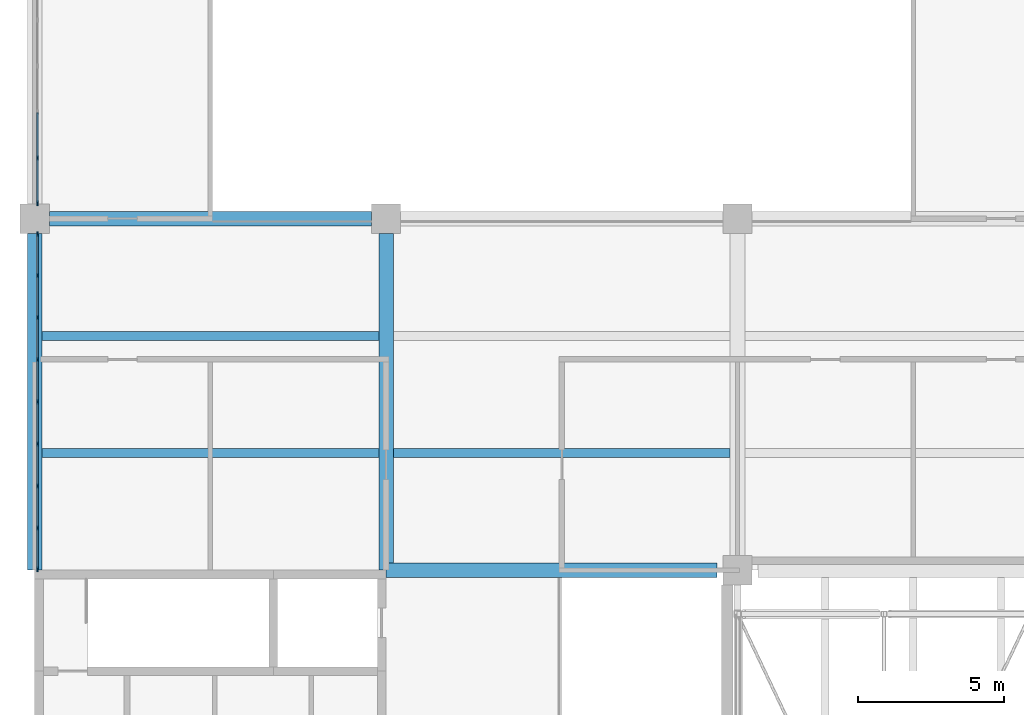
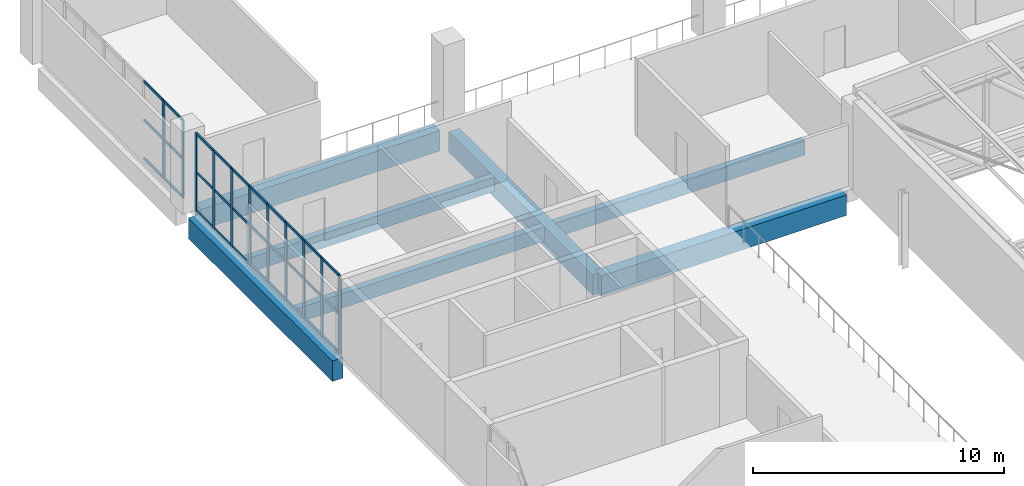
# One storey, part 128 of 156: 41 members, 7 beams, 2 elements without a shape of their own.
"""IFC4 building model written with IfcOpenShell, lengths in metres."""

from ifc_helpers import new_model, si_unit, direction, frame, origin, origin_2d, place, context, subcontext, project, spatial, rectangle, extrude, material, layer, layer_set, material_profile, profile_set, type_object, element, aggregate, save


model = new_model("IFC4")

# Units and contexts
model_context = context("Model", 3, precision=1e-05, world=origin(), true_north=direction((0.0, 1.0)))
body_context = subcontext(model_context, "Body", "Model", "MODEL_VIEW")
ifc_project = project(units=[si_unit("LENGTHUNIT", "METRE"), si_unit("AREAUNIT", "SQUARE_METRE"), si_unit("VOLUMEUNIT", "CUBIC_METRE"), si_unit("PLANEANGLEUNIT", "RADIAN"), si_unit("MASSUNIT", "GRAM", prefix="KILO")], contexts=[model_context])

# Site, building, storey
site_placement = place(None, origin())
site = spatial("IfcSite", under=ifc_project, at=site_placement, CompositionType="ELEMENT")
building_placement = place(site_placement, origin())
building = spatial("IfcBuilding", under=site, at=building_placement, Name="Lilac Gate Convention Centre", CompositionType="ELEMENT")
storey_placement = place(building_placement, frame((0.0, 0.0, 17.0)))
storey = spatial("IfcBuildingStorey", under=building, at=storey_placement, Name="L03", CompositionType="ELEMENT", Elevation=17.0)

# Curtain wall, members
ifc_material_1 = material(Name="Aluminium framed double glazing", Category="aluminium")
ifc_layer = layer(ifc_material_1, 0.199951171875)
ifc_layer_set = layer_set([ifc_layer], Name="Aluminium framed double glazing")
curtain_wall_type = type_object("IfcCurtainWallType", Name="Unitised curtain wall 1500", PredefinedType="NOTDEFINED", material=ifc_layer_set)
curtain_wall_1_placement = place(storey_placement, origin())
curtain_wall_1 = element("IfcCurtainWall", 1, at=curtain_wall_1_placement, inside=storey, type_object=curtain_wall_type, Name="Curtain wall GW L03 1", PredefinedType="NOTDEFINED")
ifc_material_2 = material(Name="Aluminium alloy 6063", Category="aluminium")
ifc_material_profile_1 = material_profile(ifc_material_2, rectangle(XDim=0.06005859375, YDim=0.159912109375, at=origin_2d()), Name="Curtain wall mullion 60 x 160")
ifc_profile_set_1 = profile_set([ifc_material_profile_1], Name="Aluminium alloy 6063")
member_type_1 = type_object("IfcMemberType", Name="Curtain wall mullion 60 x 160", PredefinedType="MULLION", material=ifc_profile_set_1)
member_1_placement = place(storey_placement, frame((6.10009765625, 236.071533203125, 0.0), z_axis=(0.0, 0.0, 1.0), x_axis=(1.0, 0.0, 0.0)))
member_1 = element("IfcMember", 2, at=member_1_placement, type_object=member_type_1, Name="CW mullion 7", PredefinedType="MULLION", context=body_context, shape_type="SweptSolid", body=[
    extrude(rectangle(XDim=0.06005859375, YDim=0.159912109375, at=origin_2d()), origin(), (0.0, 0.0, 1.0), 3.800048828125),
])
member_2_placement = place(storey_placement, frame((6.10009765625, 234.530029296875, 0.0), z_axis=(0.0, 0.0, 1.0), x_axis=(1.0, 0.0, 0.0)))
member_2 = element("IfcMember", 3, at=member_2_placement, type_object=member_type_1, Name="CW mullion 8", PredefinedType="MULLION", context=body_context, shape_type="SweptSolid", body=[
    extrude(rectangle(XDim=0.06005859375, YDim=0.159912109375, at=origin_2d()), origin(), (0.0, 0.0, 1.0), 3.800048828125),
])

curtain_wall_2_placement = place(storey_placement, origin())
curtain_wall_2 = element("IfcCurtainWall", 4, at=curtain_wall_2_placement, inside=storey, type_object=curtain_wall_type, Name="Curtain wall GW L03 2", PredefinedType="NOTDEFINED")
member_3_placement = place(storey_placement, frame((6.10009765625, 233.469970703125, 0.0), z_axis=(0.0, 0.0, 1.0), x_axis=(1.0, 0.0, 0.0)))
member_3 = element("IfcMember", 5, at=member_3_placement, type_object=member_type_1, Name="CW mullion 1", PredefinedType="MULLION", context=body_context, shape_type="SweptSolid", body=[
    extrude(rectangle(XDim=0.06005859375, YDim=0.159912109375, at=origin_2d()), origin(), (0.0, 0.0, 1.0), 3.800048828125),
])
member_4_placement = place(storey_placement, frame((6.10009765625, 232.0625, 0.0), z_axis=(0.0, 0.0, 1.0), x_axis=(1.0, 0.0, 0.0)))
member_4 = element("IfcMember", 6, at=member_4_placement, type_object=member_type_1, Name="CW mullion 2", PredefinedType="MULLION", context=body_context, shape_type="SweptSolid", body=[
    extrude(rectangle(XDim=0.06005859375, YDim=0.159912109375, at=origin_2d()), origin(), (0.0, 0.0, 1.0), 3.800048828125),
])
member_5_placement = place(storey_placement, frame((6.10009765625, 230.625, 0.0), z_axis=(0.0, 0.0, 1.0), x_axis=(1.0, 0.0, 0.0)))
member_5 = element("IfcMember", 7, at=member_5_placement, type_object=member_type_1, Name="CW mullion 3", PredefinedType="MULLION", context=body_context, shape_type="SweptSolid", body=[
    extrude(rectangle(XDim=0.06005859375, YDim=0.159912109375, at=origin_2d()), origin(), (0.0, 0.0, 1.0), 3.800048828125),
])
member_6_placement = place(storey_placement, frame((6.10009765625, 229.1875, 0.0), z_axis=(0.0, 0.0, 1.0), x_axis=(1.0, 0.0, 0.0)))
member_6 = element("IfcMember", 8, at=member_6_placement, type_object=member_type_1, Name="CW mullion 4", PredefinedType="MULLION", context=body_context, shape_type="SweptSolid", body=[
    extrude(rectangle(XDim=0.06005859375, YDim=0.159912109375, at=origin_2d()), origin(), (0.0, 0.0, 1.0), 3.800048828125),
])
member_7_placement = place(storey_placement, frame((6.10009765625, 227.75, 0.0), z_axis=(0.0, 0.0, 1.0), x_axis=(1.0, 0.0, 0.0)))
member_7 = element("IfcMember", 9, at=member_7_placement, type_object=member_type_1, Name="CW mullion 5", PredefinedType="MULLION", context=body_context, shape_type="SweptSolid", body=[
    extrude(rectangle(XDim=0.06005859375, YDim=0.159912109375, at=origin_2d()), origin(), (0.0, 0.0, 1.0), 3.800048828125),
])
member_8_placement = place(storey_placement, frame((6.10009765625, 226.3125, 0.0), z_axis=(0.0, 0.0, 1.0), x_axis=(1.0, 0.0, 0.0)))
member_8 = element("IfcMember", 10, at=member_8_placement, type_object=member_type_1, Name="CW mullion 6", PredefinedType="MULLION", context=body_context, shape_type="SweptSolid", body=[
    extrude(rectangle(XDim=0.06005859375, YDim=0.159912109375, at=origin_2d()), origin(), (0.0, 0.0, 1.0), 3.800048828125),
])
member_9_placement = place(storey_placement, frame((6.10009765625, 224.875, 0.0), z_axis=(0.0, 0.0, 1.0), x_axis=(1.0, 0.0, 0.0)))
member_9 = element("IfcMember", 11, at=member_9_placement, type_object=member_type_1, Name="CW mullion 7", PredefinedType="MULLION", context=body_context, shape_type="SweptSolid", body=[
    extrude(rectangle(XDim=0.06005859375, YDim=0.159912109375, at=origin_2d()), origin(), (0.0, 0.0, 1.0), 3.800048828125),
])
member_10_placement = place(storey_placement, frame((6.10009765625, 223.4375, 0.0), z_axis=(0.0, 0.0, 1.0), x_axis=(1.0, 0.0, 0.0)))
member_10 = element("IfcMember", 12, at=member_10_placement, type_object=member_type_1, Name="CW mullion 8", PredefinedType="MULLION", context=body_context, shape_type="SweptSolid", body=[
    extrude(rectangle(XDim=0.06005859375, YDim=0.159912109375, at=origin_2d()), origin(), (0.0, 0.0, 1.0), 3.800048828125),
])
member_11_placement = place(storey_placement, frame((6.10009765625, 222.030029296875, 0.0), z_axis=(0.0, 0.0, 1.0), x_axis=(1.0, 0.0, 0.0)))
member_11 = element("IfcMember", 13, at=member_11_placement, type_object=member_type_1, Name="CW mullion 9", PredefinedType="MULLION", context=body_context, shape_type="SweptSolid", body=[
    extrude(rectangle(XDim=0.06005859375, YDim=0.159912109375, at=origin_2d()), origin(), (0.0, 0.0, 1.0), 3.800048828125),
])

# Member
ifc_material_profile_2 = material_profile(ifc_material_2, rectangle(XDim=0.06005859375, YDim=0.1201171875, at=origin_2d()), Name="Curtain wall transom 60 x 120")
ifc_profile_set_2 = profile_set([ifc_material_profile_2], Name="Aluminium alloy 6063")
member_type_2 = type_object("IfcMemberType", Name="Curtain wall transom 60 x 120", PredefinedType="USERDEFINED", material=ifc_profile_set_2)
member_12_placement = place(storey_placement, frame((6.10009765625, 237.61279296875, 0.030029296875), z_axis=(0.0, -1.0, 0.0), x_axis=(1.0, 0.0, 0.0)))
member_12 = element("IfcMember", 14, at=member_12_placement, type_object=member_type_2, Name="CW transom 6.1", ObjectType="TRANSOM", PredefinedType="USERDEFINED", context=body_context, shape_type="SweptSolid", body=[
    extrude(rectangle(XDim=0.06005859375, YDim=0.1201171875, at=origin_2d()), origin(), (0.0, 0.0, 1.0), 1.511474609375),
])

member_13_placement = place(storey_placement, frame((6.10009765625, 237.61279296875, 1.89990234375), z_axis=(0.0, -1.0, 0.0), x_axis=(1.0, 0.0, 0.0)))
member_13 = element("IfcMember", 15, at=member_13_placement, type_object=member_type_2, Name="CW transom 6.2", ObjectType="TRANSOM", PredefinedType="USERDEFINED", context=body_context, shape_type="SweptSolid", body=[
    extrude(rectangle(XDim=0.06005859375, YDim=0.1201171875, at=origin_2d()), origin(), (0.0, 0.0, 1.0), 1.511474609375),
])

member_14_placement = place(storey_placement, frame((6.10009765625, 237.61279296875, 3.77001953125), z_axis=(0.0, -1.0, 0.0), x_axis=(1.0, 0.0, 0.0)))
member_14 = element("IfcMember", 16, at=member_14_placement, type_object=member_type_2, Name="CW transom 6.3", ObjectType="TRANSOM", PredefinedType="USERDEFINED", context=body_context, shape_type="SweptSolid", body=[
    extrude(rectangle(XDim=0.06005859375, YDim=0.1201171875, at=origin_2d()), origin(), (0.0, 0.0, 1.0), 1.511474609375),
])

member_15_placement = place(storey_placement, frame((6.10009765625, 236.04150390625, 0.030029296875), z_axis=(0.0, -1.0, 0.0), x_axis=(1.0, 0.0, 0.0)))
member_15 = element("IfcMember", 17, at=member_15_placement, type_object=member_type_2, Name="CW transom 7.1", ObjectType="TRANSOM", PredefinedType="USERDEFINED", context=body_context, shape_type="SweptSolid", body=[
    extrude(rectangle(XDim=0.06005859375, YDim=0.1201171875, at=origin_2d()), origin(), (0.0, 0.0, 1.0), 1.4814453125),
])

member_16_placement = place(storey_placement, frame((6.10009765625, 236.04150390625, 1.89990234375), z_axis=(0.0, -1.0, 0.0), x_axis=(1.0, 0.0, 0.0)))
member_16 = element("IfcMember", 18, at=member_16_placement, type_object=member_type_2, Name="CW transom 7.2", ObjectType="TRANSOM", PredefinedType="USERDEFINED", context=body_context, shape_type="SweptSolid", body=[
    extrude(rectangle(XDim=0.06005859375, YDim=0.1201171875, at=origin_2d()), origin(), (0.0, 0.0, 1.0), 1.4814453125),
])

member_17_placement = place(storey_placement, frame((6.10009765625, 236.04150390625, 3.77001953125), z_axis=(0.0, -1.0, 0.0), x_axis=(1.0, 0.0, 0.0)))
member_17 = element("IfcMember", 19, at=member_17_placement, type_object=member_type_2, Name="CW transom 7.3", ObjectType="TRANSOM", PredefinedType="USERDEFINED", context=body_context, shape_type="SweptSolid", body=[
    extrude(rectangle(XDim=0.06005859375, YDim=0.1201171875, at=origin_2d()), origin(), (0.0, 0.0, 1.0), 1.4814453125),
])

aggregate(curtain_wall_1, [member_1, member_2, member_12, member_13, member_14, member_15, member_16, member_17])

member_18_placement = place(storey_placement, frame((6.10009765625, 233.43994140625, 0.030029296875), z_axis=(0.0, -1.0, 0.0), x_axis=(1.0, 0.0, 0.0)))
member_18 = element("IfcMember", 20, at=member_18_placement, type_object=member_type_2, Name="CW transom 1.1", ObjectType="TRANSOM", PredefinedType="USERDEFINED", context=body_context, shape_type="SweptSolid", body=[
    extrude(rectangle(XDim=0.06005859375, YDim=0.1201171875, at=origin_2d()), origin(), (0.0, 0.0, 1.0), 1.347412109375),
])

member_19_placement = place(storey_placement, frame((6.10009765625, 233.43994140625, 1.89990234375), z_axis=(0.0, -1.0, 0.0), x_axis=(1.0, 0.0, 0.0)))
member_19 = element("IfcMember", 21, at=member_19_placement, type_object=member_type_2, Name="CW transom 1.2", ObjectType="TRANSOM", PredefinedType="USERDEFINED", context=body_context, shape_type="SweptSolid", body=[
    extrude(rectangle(XDim=0.06005859375, YDim=0.1201171875, at=origin_2d()), origin(), (0.0, 0.0, 1.0), 1.347412109375),
])

member_20_placement = place(storey_placement, frame((6.10009765625, 233.43994140625, 3.77001953125), z_axis=(0.0, -1.0, 0.0), x_axis=(1.0, 0.0, 0.0)))
member_20 = element("IfcMember", 22, at=member_20_placement, type_object=member_type_2, Name="CW transom 1.3", ObjectType="TRANSOM", PredefinedType="USERDEFINED", context=body_context, shape_type="SweptSolid", body=[
    extrude(rectangle(XDim=0.06005859375, YDim=0.1201171875, at=origin_2d()), origin(), (0.0, 0.0, 1.0), 1.347412109375),
])

member_21_placement = place(storey_placement, frame((6.10009765625, 232.032470703125, 0.030029296875), z_axis=(0.0, -1.0, 0.0), x_axis=(1.0, 0.0, 0.0)))
member_21 = element("IfcMember", 23, at=member_21_placement, type_object=member_type_2, Name="CW transom 2.1", ObjectType="TRANSOM", PredefinedType="USERDEFINED", context=body_context, shape_type="SweptSolid", body=[
    extrude(rectangle(XDim=0.06005859375, YDim=0.1201171875, at=origin_2d()), origin(), (0.0, 0.0, 1.0), 1.37744140625),
])

member_22_placement = place(storey_placement, frame((6.10009765625, 232.032470703125, 1.89990234375), z_axis=(0.0, -1.0, 0.0), x_axis=(1.0, 0.0, 0.0)))
member_22 = element("IfcMember", 24, at=member_22_placement, type_object=member_type_2, Name="CW transom 2.2", ObjectType="TRANSOM", PredefinedType="USERDEFINED", context=body_context, shape_type="SweptSolid", body=[
    extrude(rectangle(XDim=0.06005859375, YDim=0.1201171875, at=origin_2d()), origin(), (0.0, 0.0, 1.0), 1.37744140625),
])

member_23_placement = place(storey_placement, frame((6.10009765625, 232.032470703125, 3.77001953125), z_axis=(0.0, -1.0, 0.0), x_axis=(1.0, 0.0, 0.0)))
member_23 = element("IfcMember", 25, at=member_23_placement, type_object=member_type_2, Name="CW transom 2.3", ObjectType="TRANSOM", PredefinedType="USERDEFINED", context=body_context, shape_type="SweptSolid", body=[
    extrude(rectangle(XDim=0.06005859375, YDim=0.1201171875, at=origin_2d()), origin(), (0.0, 0.0, 1.0), 1.37744140625),
])

member_24_placement = place(storey_placement, frame((6.10009765625, 230.594970703125, 0.030029296875), z_axis=(0.0, -1.0, 0.0), x_axis=(1.0, 0.0, 0.0)))
member_24 = element("IfcMember", 26, at=member_24_placement, type_object=member_type_2, Name="CW transom 3.1", ObjectType="TRANSOM", PredefinedType="USERDEFINED", context=body_context, shape_type="SweptSolid", body=[
    extrude(rectangle(XDim=0.06005859375, YDim=0.1201171875, at=origin_2d()), origin(), (0.0, 0.0, 1.0), 1.37744140625),
])

member_25_placement = place(storey_placement, frame((6.10009765625, 230.594970703125, 1.89990234375), z_axis=(0.0, -1.0, 0.0), x_axis=(1.0, 0.0, 0.0)))
member_25 = element("IfcMember", 27, at=member_25_placement, type_object=member_type_2, Name="CW transom 3.2", ObjectType="TRANSOM", PredefinedType="USERDEFINED", context=body_context, shape_type="SweptSolid", body=[
    extrude(rectangle(XDim=0.06005859375, YDim=0.1201171875, at=origin_2d()), origin(), (0.0, 0.0, 1.0), 1.37744140625),
])

member_26_placement = place(storey_placement, frame((6.10009765625, 230.594970703125, 3.77001953125), z_axis=(0.0, -1.0, 0.0), x_axis=(1.0, 0.0, 0.0)))
member_26 = element("IfcMember", 28, at=member_26_placement, type_object=member_type_2, Name="CW transom 3.3", ObjectType="TRANSOM", PredefinedType="USERDEFINED", context=body_context, shape_type="SweptSolid", body=[
    extrude(rectangle(XDim=0.06005859375, YDim=0.1201171875, at=origin_2d()), origin(), (0.0, 0.0, 1.0), 1.37744140625),
])

member_27_placement = place(storey_placement, frame((6.10009765625, 229.157470703125, 0.030029296875), z_axis=(0.0, -1.0, 0.0), x_axis=(1.0, 0.0, 0.0)))
member_27 = element("IfcMember", 29, at=member_27_placement, type_object=member_type_2, Name="CW transom 4.1", ObjectType="TRANSOM", PredefinedType="USERDEFINED", context=body_context, shape_type="SweptSolid", body=[
    extrude(rectangle(XDim=0.06005859375, YDim=0.1201171875, at=origin_2d()), origin(), (0.0, 0.0, 1.0), 1.37744140625),
])

member_28_placement = place(storey_placement, frame((6.10009765625, 229.157470703125, 1.89990234375), z_axis=(0.0, -1.0, 0.0), x_axis=(1.0, 0.0, 0.0)))
member_28 = element("IfcMember", 30, at=member_28_placement, type_object=member_type_2, Name="CW transom 4.2", ObjectType="TRANSOM", PredefinedType="USERDEFINED", context=body_context, shape_type="SweptSolid", body=[
    extrude(rectangle(XDim=0.06005859375, YDim=0.1201171875, at=origin_2d()), origin(), (0.0, 0.0, 1.0), 1.37744140625),
])

member_29_placement = place(storey_placement, frame((6.10009765625, 229.157470703125, 3.77001953125), z_axis=(0.0, -1.0, 0.0), x_axis=(1.0, 0.0, 0.0)))
member_29 = element("IfcMember", 31, at=member_29_placement, type_object=member_type_2, Name="CW transom 4.3", ObjectType="TRANSOM", PredefinedType="USERDEFINED", context=body_context, shape_type="SweptSolid", body=[
    extrude(rectangle(XDim=0.06005859375, YDim=0.1201171875, at=origin_2d()), origin(), (0.0, 0.0, 1.0), 1.37744140625),
])

member_30_placement = place(storey_placement, frame((6.10009765625, 227.719970703125, 0.030029296875), z_axis=(0.0, -1.0, 0.0), x_axis=(1.0, 0.0, 0.0)))
member_30 = element("IfcMember", 32, at=member_30_placement, type_object=member_type_2, Name="CW transom 5.1", ObjectType="TRANSOM", PredefinedType="USERDEFINED", context=body_context, shape_type="SweptSolid", body=[
    extrude(rectangle(XDim=0.06005859375, YDim=0.1201171875, at=origin_2d()), origin(), (0.0, 0.0, 1.0), 1.37744140625),
])

member_31_placement = place(storey_placement, frame((6.10009765625, 227.719970703125, 1.89990234375), z_axis=(0.0, -1.0, 0.0), x_axis=(1.0, 0.0, 0.0)))
member_31 = element("IfcMember", 33, at=member_31_placement, type_object=member_type_2, Name="CW transom 5.2", ObjectType="TRANSOM", PredefinedType="USERDEFINED", context=body_context, shape_type="SweptSolid", body=[
    extrude(rectangle(XDim=0.06005859375, YDim=0.1201171875, at=origin_2d()), origin(), (0.0, 0.0, 1.0), 1.37744140625),
])

member_32_placement = place(storey_placement, frame((6.10009765625, 227.719970703125, 3.77001953125), z_axis=(0.0, -1.0, 0.0), x_axis=(1.0, 0.0, 0.0)))
member_32 = element("IfcMember", 34, at=member_32_placement, type_object=member_type_2, Name="CW transom 5.3", ObjectType="TRANSOM", PredefinedType="USERDEFINED", context=body_context, shape_type="SweptSolid", body=[
    extrude(rectangle(XDim=0.06005859375, YDim=0.1201171875, at=origin_2d()), origin(), (0.0, 0.0, 1.0), 1.37744140625),
])

member_33_placement = place(storey_placement, frame((6.10009765625, 226.282470703125, 0.030029296875), z_axis=(0.0, -1.0, 0.0), x_axis=(1.0, 0.0, 0.0)))
member_33 = element("IfcMember", 35, at=member_33_placement, type_object=member_type_2, Name="CW transom 6.1", ObjectType="TRANSOM", PredefinedType="USERDEFINED", context=body_context, shape_type="SweptSolid", body=[
    extrude(rectangle(XDim=0.06005859375, YDim=0.1201171875, at=origin_2d()), origin(), (0.0, 0.0, 1.0), 1.37744140625),
])

member_34_placement = place(storey_placement, frame((6.10009765625, 226.282470703125, 1.89990234375), z_axis=(0.0, -1.0, 0.0), x_axis=(1.0, 0.0, 0.0)))
member_34 = element("IfcMember", 36, at=member_34_placement, type_object=member_type_2, Name="CW transom 6.2", ObjectType="TRANSOM", PredefinedType="USERDEFINED", context=body_context, shape_type="SweptSolid", body=[
    extrude(rectangle(XDim=0.06005859375, YDim=0.1201171875, at=origin_2d()), origin(), (0.0, 0.0, 1.0), 1.37744140625),
])

member_35_placement = place(storey_placement, frame((6.10009765625, 226.282470703125, 3.77001953125), z_axis=(0.0, -1.0, 0.0), x_axis=(1.0, 0.0, 0.0)))
member_35 = element("IfcMember", 37, at=member_35_placement, type_object=member_type_2, Name="CW transom 6.3", ObjectType="TRANSOM", PredefinedType="USERDEFINED", context=body_context, shape_type="SweptSolid", body=[
    extrude(rectangle(XDim=0.06005859375, YDim=0.1201171875, at=origin_2d()), origin(), (0.0, 0.0, 1.0), 1.37744140625),
])

member_36_placement = place(storey_placement, frame((6.10009765625, 224.844970703125, 0.030029296875), z_axis=(0.0, -1.0, 0.0), x_axis=(1.0, 0.0, 0.0)))
member_36 = element("IfcMember", 38, at=member_36_placement, type_object=member_type_2, Name="CW transom 7.1", ObjectType="TRANSOM", PredefinedType="USERDEFINED", context=body_context, shape_type="SweptSolid", body=[
    extrude(rectangle(XDim=0.06005859375, YDim=0.1201171875, at=origin_2d()), origin(), (0.0, 0.0, 1.0), 1.37744140625),
])

member_37_placement = place(storey_placement, frame((6.10009765625, 224.844970703125, 1.89990234375), z_axis=(0.0, -1.0, 0.0), x_axis=(1.0, 0.0, 0.0)))
member_37 = element("IfcMember", 39, at=member_37_placement, type_object=member_type_2, Name="CW transom 7.2", ObjectType="TRANSOM", PredefinedType="USERDEFINED", context=body_context, shape_type="SweptSolid", body=[
    extrude(rectangle(XDim=0.06005859375, YDim=0.1201171875, at=origin_2d()), origin(), (0.0, 0.0, 1.0), 1.37744140625),
])

member_38_placement = place(storey_placement, frame((6.10009765625, 224.844970703125, 3.77001953125), z_axis=(0.0, -1.0, 0.0), x_axis=(1.0, 0.0, 0.0)))
member_38 = element("IfcMember", 40, at=member_38_placement, type_object=member_type_2, Name="CW transom 7.3", ObjectType="TRANSOM", PredefinedType="USERDEFINED", context=body_context, shape_type="SweptSolid", body=[
    extrude(rectangle(XDim=0.06005859375, YDim=0.1201171875, at=origin_2d()), origin(), (0.0, 0.0, 1.0), 1.37744140625),
])

member_39_placement = place(storey_placement, frame((6.10009765625, 223.407470703125, 0.030029296875), z_axis=(0.0, -1.0, 0.0), x_axis=(1.0, 0.0, 0.0)))
member_39 = element("IfcMember", 41, at=member_39_placement, type_object=member_type_2, Name="CW transom 8.1", ObjectType="TRANSOM", PredefinedType="USERDEFINED", context=body_context, shape_type="SweptSolid", body=[
    extrude(rectangle(XDim=0.06005859375, YDim=0.1201171875, at=origin_2d()), origin(), (0.0, 0.0, 1.0), 1.347412109375),
])

member_40_placement = place(storey_placement, frame((6.10009765625, 223.407470703125, 1.89990234375), z_axis=(0.0, -1.0, 0.0), x_axis=(1.0, 0.0, 0.0)))
member_40 = element("IfcMember", 42, at=member_40_placement, type_object=member_type_2, Name="CW transom 8.2", ObjectType="TRANSOM", PredefinedType="USERDEFINED", context=body_context, shape_type="SweptSolid", body=[
    extrude(rectangle(XDim=0.06005859375, YDim=0.1201171875, at=origin_2d()), origin(), (0.0, 0.0, 1.0), 1.347412109375),
])

member_41_placement = place(storey_placement, frame((6.10009765625, 223.407470703125, 3.77001953125), z_axis=(0.0, -1.0, 0.0), x_axis=(1.0, 0.0, 0.0)))
member_41 = element("IfcMember", 43, at=member_41_placement, type_object=member_type_2, Name="CW transom 8.3", ObjectType="TRANSOM", PredefinedType="USERDEFINED", context=body_context, shape_type="SweptSolid", body=[
    extrude(rectangle(XDim=0.06005859375, YDim=0.1201171875, at=origin_2d()), origin(), (0.0, 0.0, 1.0), 1.347412109375),
])

aggregate(curtain_wall_2, [member_3, member_4, member_5, member_6, member_7, member_8, member_9, member_10, member_11, member_18, member_19, member_20, member_21, member_22, member_23, member_24, member_25, member_26, member_27, member_28, member_29, member_30, member_31, member_32, member_33, member_34, member_35, member_36, member_37, member_38, member_39, member_40, member_41])

# Beams
ifc_material_3 = material(Name="Concrete C40", Category="concrete")
ifc_material_profile_3 = material_profile(ifc_material_3, rectangle(XDim=0.5, YDim=1.0, at=origin_2d()), Name="RC 500x1000")
ifc_profile_set_3 = profile_set([ifc_material_profile_3], Name="Concrete C40")
beam_type_1 = type_object("IfcBeamType", Name="Primary beam 500x1000 C40", PredefinedType="BEAM", material=ifc_profile_set_3)
beam_1_placement = place(storey_placement, frame((18.0, 222.0, -0.75), z_axis=(1.0, 0.0, 0.0), x_axis=(0.0, 1.0, 0.0)))
element("IfcBeam", 44, at=beam_1_placement, inside=storey, type_object=beam_type_1, Name="RB1 L03 2/S-3/S", PredefinedType="BEAM", context=body_context, shape_type="SweptSolid", body=[
    extrude(rectangle(XDim=0.5, YDim=1.0, at=origin_2d()), origin(), (0.0, 0.0, 1.0), 11.300048828125),
])
beam_2_placement = place(storey_placement, frame((6.5, 234.0, -0.75), z_axis=(1.0, 0.0, 0.0), x_axis=(0.0, 1.0, 0.0)))
element("IfcBeam", 45, at=beam_2_placement, inside=storey, type_object=beam_type_1, Name="RB1 L03 1/T-2/T", PredefinedType="BEAM", context=body_context, shape_type="SweptSolid", body=[
    extrude(rectangle(XDim=0.5, YDim=1.0, at=origin_2d()), origin(), (0.0, 0.0, 1.0), 11.0),
])
for number, where, z_axis, x_axis, name in (
    (46, (6.0, 222.0, -0.75), (0.0, 1.0, 0.0), (-1.0, 0.0, 0.0), "RB1 L03 1/S-1/T"),
    (47, (18.0, 222.0, -0.75), (0.0, 1.0, 0.0), (-1.0, 0.0, 0.0), "RB1 L03 2/S-2/T"),
):
    element("IfcBeam", number, at=place(storey_placement, frame(where, z_axis=z_axis, x_axis=x_axis)), inside=storey, type_object=beam_type_1, Name=name, PredefinedType="BEAM", context=body_context, shape_type="SweptSolid", body=[
        extrude(rectangle(XDim=0.5, YDim=1.0, at=origin_2d()), origin(), (0.0, 0.0, 1.0), 11.5),
    ])
ifc_material_profile_4 = material_profile(ifc_material_3, rectangle(XDim=0.300048828125, YDim=0.699951171875, at=origin_2d()), Name="RC 300x700")
ifc_profile_set_4 = profile_set([ifc_material_profile_4], Name="Concrete C40")
beam_type_2 = type_object("IfcBeamType", Name="Secondary beam 300x700 C40", PredefinedType="BEAM", material=ifc_profile_set_4)
for number, where, z_axis, x_axis, name in (
    (48, (6.25, 226.0, -0.60009765625), (1.0, 0.0, 0.0), (0.0, 1.0, 0.0), "RB2 L03 bay 1/S"),
    (49, (6.25, 230.0, -0.60009765625), (1.0, 0.0, 0.0), (0.0, 1.0, 0.0), "RB2 L03 bay 1/S"),
    (50, (18.25, 226.0, -0.60009765625), (1.0, 0.0, 0.0), (0.0, 1.0, 0.0), "RB2 L03 bay 2/S"),
):
    element("IfcBeam", number, at=place(storey_placement, frame(where, z_axis=z_axis, x_axis=x_axis)), inside=storey, type_object=beam_type_2, Name=name, PredefinedType="BEAM", context=body_context, shape_type="SweptSolid", body=[
        extrude(rectangle(XDim=0.300048828125, YDim=0.699951171875, at=origin_2d()), origin(), (0.0, 0.0, 1.0), 11.5),
    ])

save(model, "model.ifc")
